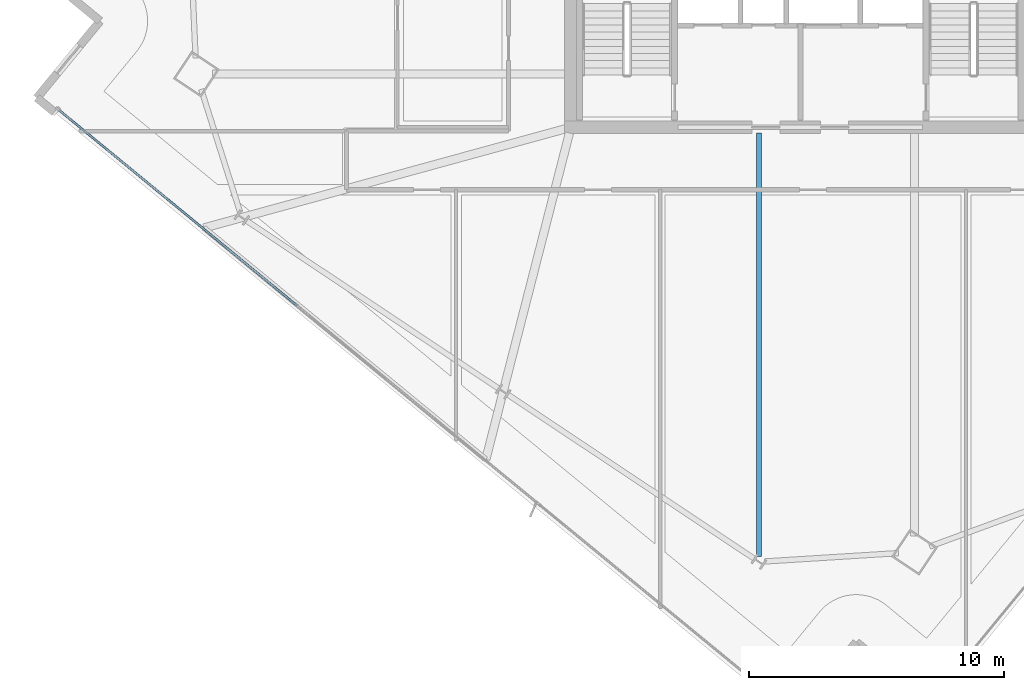
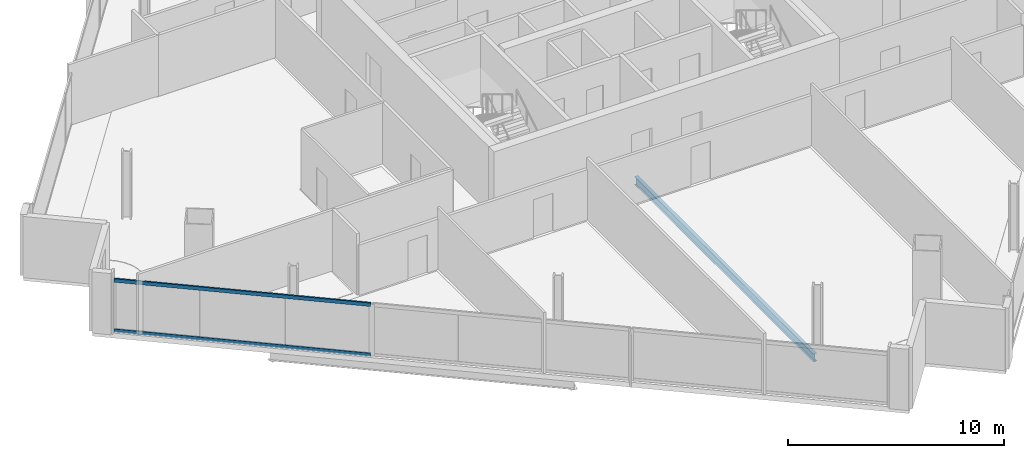
# One storey, part 4 of 28: 2 members, 1 beam, 1 element without a shape of its own.
"""IFC4 building model written with IfcOpenShell, lengths in metres."""

from ifc_helpers import new_model, si_unit, direction, frame, origin, origin_2d, place, context, subcontext, project, spatial, hollow_rectangle, i_section, extrude, material, material_profile, profile_set, type_object, element, aggregate, save


model = new_model("IFC4")

# Units and contexts
model_context = context("Model", 3, precision=1e-05, world=origin(), true_north=direction((0.0, 1.0)))
body_context = subcontext(model_context, "Body", "Model", "MODEL_VIEW")
ifc_project = project(units=[si_unit("LENGTHUNIT", "METRE"), si_unit("AREAUNIT", "SQUARE_METRE"), si_unit("VOLUMEUNIT", "CUBIC_METRE"), si_unit("PLANEANGLEUNIT", "RADIAN"), si_unit("MASSUNIT", "GRAM", prefix="KILO")], contexts=[model_context])

# Site, building, storey
site_placement = place(None, origin())
site = spatial("IfcSite", under=ifc_project, at=site_placement, CompositionType="ELEMENT")
building_placement = place(site_placement, origin())
building = spatial("IfcBuilding", under=site, at=building_placement, Name="Haldenkirk Collegiate Tower", CompositionType="ELEMENT")
storey_placement = place(building_placement, frame((0.0, 0.0, 198.449951171875)))
storey = spatial("IfcBuildingStorey", under=building, at=storey_placement, Name="L49", CompositionType="ELEMENT", Elevation=198.449951171875)

# Beam
ifc_material_1 = material(Name="Steel ASTM A992 Grade 50", Category="steel")
ifc_material_profile_1 = material_profile(ifc_material_1, i_section(OverallWidth=0.18994140625, OverallDepth=0.45703125, WebThickness=0.009033203125, FlangeThickness=0.014404296875, at=origin_2d()), Name="W18X50")
ifc_profile_set_1 = profile_set([ifc_material_profile_1], Name="Steel ASTM A992 Grade 50")
beam_type = type_object("IfcBeamType", Name="BM-JOIST-W18X50", PredefinedType="JOIST", material=ifc_profile_set_1)
beam_placement = place(storey_placement, frame((34.376708984375, 1.16943359375, -0.508544921875), z_axis=(0.0, 1.0, 0.0), x_axis=(-1.0, 0.0, 0.0)))
element("IfcBeam", 1, at=beam_placement, inside=storey, type_object=beam_type, Name="L49 composite floor joist 16", PredefinedType="JOIST", context=body_context, shape_type="SweptSolid", body=[
    extrude(i_section(OverallWidth=0.18994140625, OverallDepth=0.45703125, WebThickness=0.009033203125, FlangeThickness=0.014404296875, at=origin_2d()), origin(), (0.0, 0.0, 1.0), 16.6005859375),
])

# Curtain wall, members
ifc_material_2 = material(Name="Anodised architectural bronze aluminium", Category="aluminium")
curtain_wall_type = type_object("IfcCurtainWallType", Name="CW-SYS1B-CONVEX-HI", PredefinedType="USERDEFINED", material=ifc_material_2)
curtain_wall_placement = place(storey_placement, origin())
curtain_wall = element("IfcCurtainWall", 2, at=curtain_wall_placement, inside=storey, type_object=curtain_wall_type, Name="L49 Upper tower high-wind convex bronze unitised curtain wall", ObjectType="UNITISED CURTAIN WALL", PredefinedType="USERDEFINED")
ifc_material_profile_2 = material_profile(ifc_material_2, hollow_rectangle(XDim=0.0849609375, YDim=0.199951171875, WallThickness=0.0048828125, at=origin_2d()), Name="CW-TRN-1B")
ifc_profile_set_2 = profile_set([ifc_material_profile_2], Name="Anodised architectural bronze aluminium")
member_type = type_object("IfcMemberType", Name="CW-TRN-1B", PredefinedType="USERDEFINED", material=ifc_profile_set_2)
member_1_placement = place(storey_placement, frame((16.2529296875, 11.006591796875, 0.04248046875), z_axis=(-0.772732276656, 0.634732092, 0.0), x_axis=(-0.634732092, -0.772732276656, 0.0)))
member_1 = element("IfcMember", 3, at=member_1_placement, type_object=member_type, Name="CW-1B transom 3.1", ObjectType="TRANSOM", PredefinedType="USERDEFINED", context=body_context, shape_type="SweptSolid", body=[
    extrude(hollow_rectangle(XDim=0.0849609375, YDim=0.199951171875, WallThickness=0.0048828125, at=origin_2d()), origin(), (0.0, 0.0, 1.0), 12.072509765625),
])
member_2_placement = place(storey_placement, frame((16.2529296875, 11.006591796875, 2.885498046875), z_axis=(-0.772732276656, 0.634732092, 0.0), x_axis=(-0.634732092, -0.772732276656, 0.0)))
member_2 = element("IfcMember", 4, at=member_2_placement, type_object=member_type, Name="CW-1B transom 3.2", ObjectType="TRANSOM", PredefinedType="USERDEFINED", context=body_context, shape_type="SweptSolid", body=[
    extrude(hollow_rectangle(XDim=0.0849609375, YDim=0.199951171875, WallThickness=0.0048828125, at=origin_2d()), origin(), (0.0, 0.0, 1.0), 12.072509765625),
])
aggregate(curtain_wall, [member_1, member_2])

save(model, "model.ifc")
